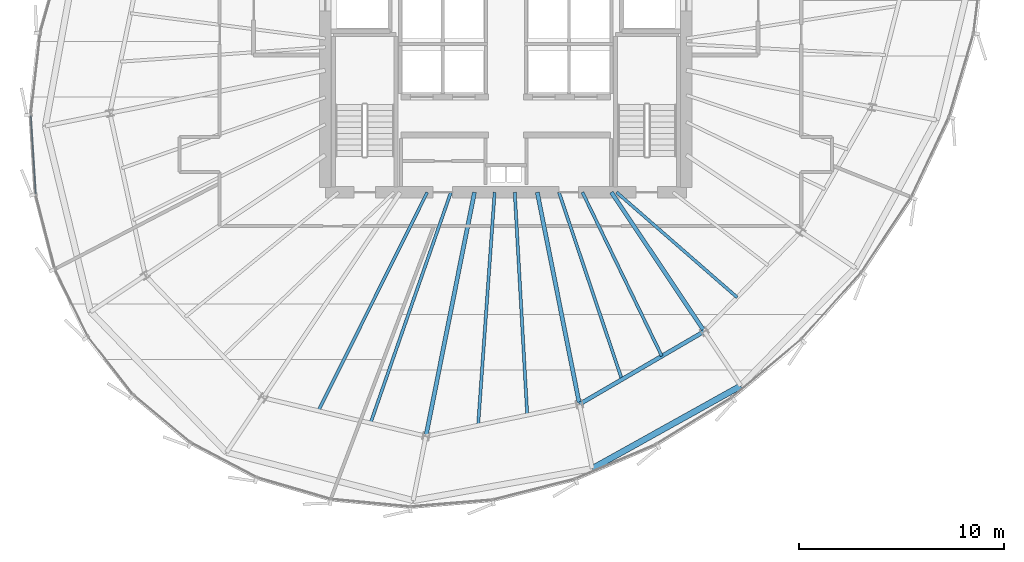
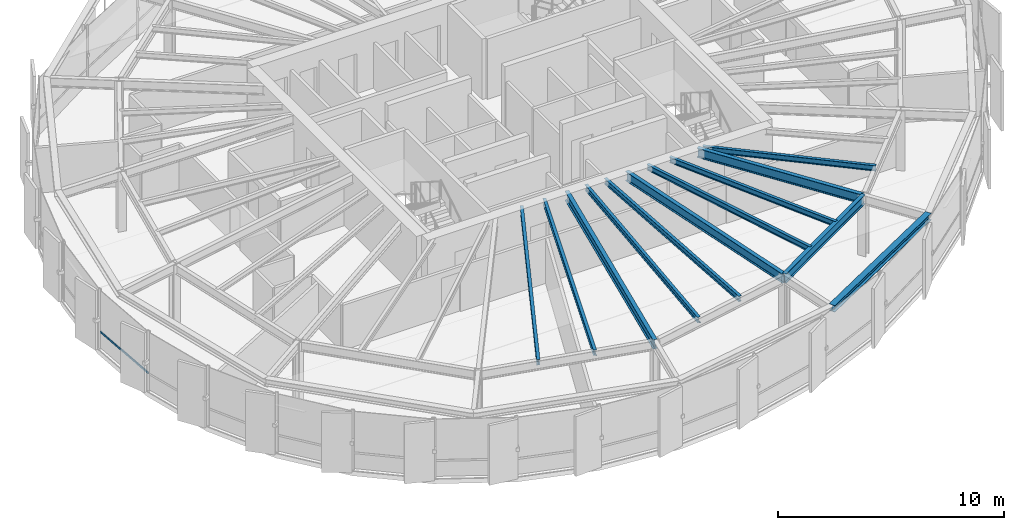
# One storey, part 7 of 33: 12 beams, 1 member, 1 element without a shape of its own.
"""IFC4 building model written with IfcOpenShell, lengths in metres."""

from ifc_helpers import new_model, si_unit, direction, frame, origin, origin_2d, place, context, subcontext, project, spatial, hollow_rectangle, i_section, extrude, source, transform, mapped, material, layer, layer_set, material_profile, profile_set, type_object, element, aggregate, save


model = new_model("IFC4")

# Units and contexts
model_context = context("Model", 3, precision=1e-05, world=origin(), true_north=direction((0.0, 1.0)))
body_context = subcontext(model_context, "Body", "Model", "MODEL_VIEW")
ifc_project = project(units=[si_unit("LENGTHUNIT", "METRE"), si_unit("AREAUNIT", "SQUARE_METRE"), si_unit("VOLUMEUNIT", "CUBIC_METRE"), si_unit("PLANEANGLEUNIT", "RADIAN"), si_unit("MASSUNIT", "GRAM", prefix="KILO"), si_unit("THERMODYNAMICTEMPERATUREUNIT", "KELVIN")], contexts=[model_context])

# Site, building, storey
site_placement = place(None, origin())
site = spatial("IfcSite", under=ifc_project, at=site_placement, CompositionType="ELEMENT")
building_placement = place(site_placement, origin())
building = spatial("IfcBuilding", under=site, at=building_placement, Name="Kethvar Cultural Tower", CompositionType="ELEMENT")
storey_placement = place(building_placement, frame((0.0, 0.0, 211.39990234375)))
storey = spatial("IfcBuildingStorey", under=building, at=storey_placement, Name="L55", CompositionType="ELEMENT", Elevation=211.39990234375)

# Beams
ifc_material_1 = material(Name="Steel S355J2", Category="steel")
ifc_material_profile_1 = material_profile(ifc_material_1, i_section(OverallWidth=0.199951171875, OverallDepth=0.5, WebThickness=0.01025390625, FlangeThickness=0.01611328125, FilletRadius=0.02099609375, at=origin_2d()), Name="Steel S355J2 — IPE500")
ifc_profile_set_1 = profile_set([ifc_material_profile_1], Name="Steel S355J2 — IPE500")
beam_type_1 = type_object("IfcBeamType", Name="BM-IPE500", PredefinedType="BEAM", material=ifc_profile_set_1)
shared_shape_1 = source(origin(), body_context, "Body", "SweptSolid", [
    extrude(i_section(OverallWidth=0.199951171875, OverallDepth=0.5, WebThickness=0.01025390625, FlangeThickness=0.01611328125, FilletRadius=0.02099609375, at=origin_2d()), origin(), (0.0, 0.0, 1.0), 12.1220703125),
])
beam_1_placement = place(storey_placement, frame((45.268310546875, 20.10009765625, 3.008056640625), z_axis=(-0.195078030057, -0.980787725346, 0.0), x_axis=(0.980787725346, -0.195078030057, 0.0)))
element("IfcBeam", 1, at=beam_1_placement, inside=storey, type_object=beam_type_1, Name="L55 Primary Radial Beam RB-12", PredefinedType="BEAM", context=body_context, shape_type="MappedRepresentation", body=[
    mapped(shared_shape_1, transform((0.0, 0.0, 0.0), scale=1.0)),
])
shared_shape_2 = source(origin(), body_context, "Body", "SweptSolid", [
    extrude(i_section(OverallWidth=0.199951171875, OverallDepth=0.5, WebThickness=0.01025390625, FlangeThickness=0.01611328125, FilletRadius=0.02099609375, at=origin_2d()), origin(), (0.0, 0.0, 1.0), 10.533935546875),
])
beam_2_placement = place(storey_placement, frame((48.33154296875, 20.10009765625, 3.008056640625), z_axis=(0.19509982917, -0.980783389265, 0.0), x_axis=(0.980783389265, 0.19509982917, 0.0)))
element("IfcBeam", 2, at=beam_2_placement, inside=storey, type_object=beam_type_1, Name="L55 Primary Radial Beam RB-13", PredefinedType="BEAM", context=body_context, shape_type="MappedRepresentation", body=[
    mapped(shared_shape_2, transform((0.0, 0.0, 0.0), scale=1.0)),
])
shared_shape_3 = source(origin(), body_context, "Body", "SweptSolid", [
    extrude(i_section(OverallWidth=0.199951171875, OverallDepth=0.5, WebThickness=0.01025390625, FlangeThickness=0.01611328125, FilletRadius=0.02099609375, at=origin_2d()), origin(), (0.0, 0.0, 1.0), 8.1533203125),
])
beam_3_placement = place(storey_placement, frame((51.945068359375, 20.10009765625, 3.008056640625), z_axis=(0.555549853936, -0.831483228809, 0.0), x_axis=(0.831483228809, 0.555549853936, 0.0)))
element("IfcBeam", 3, at=beam_3_placement, inside=storey, type_object=beam_type_1, Name="L55 Primary Radial Beam RB-14", PredefinedType="BEAM", context=body_context, shape_type="MappedRepresentation", body=[
    mapped(shared_shape_3, transform((0.0, 0.0, 0.0), scale=1.0)),
])
ifc_material_profile_2 = material_profile(ifc_material_1, i_section(OverallWidth=0.14990234375, OverallDepth=0.300048828125, WebThickness=0.007080078125, FlangeThickness=0.0107421875, FilletRadius=0.014892578125, at=origin_2d()), Name="Steel S355J2 — IPE300")
ifc_profile_set_2 = profile_set([ifc_material_profile_2], Name="Steel S355J2 — IPE300")
beam_type_2 = type_object("IfcBeamType", Name="BM-J300", PredefinedType="JOIST", material=ifc_profile_set_2)
shared_shape_4 = source(origin(), body_context, "Body", "SweptSolid", [
    extrude(i_section(OverallWidth=0.14990234375, OverallDepth=0.300048828125, WebThickness=0.007080078125, FlangeThickness=0.0107421875, FilletRadius=0.014892578125, at=origin_2d()), origin(), (0.0, 0.0, 1.0), 11.900146484375),
])
beam_4_placement = place(storey_placement, frame((42.96630859375, 20.10009765625, 3.108154296875), z_axis=(-0.445686564233, -0.89518907861, 0.0), x_axis=(0.89518907861, -0.445686564233, 0.0)))
element("IfcBeam", 4, at=beam_4_placement, inside=storey, type_object=beam_type_2, Name="L55 Composite Floor Joist J-11A", PredefinedType="JOIST", context=body_context, shape_type="MappedRepresentation", body=[
    mapped(shared_shape_4, transform((0.0, 0.0, 0.0), scale=1.0)),
])
shared_shape_5 = source(origin(), body_context, "Body", "SweptSolid", [
    extrude(i_section(OverallWidth=0.14990234375, OverallDepth=0.300048828125, WebThickness=0.007080078125, FlangeThickness=0.0107421875, FilletRadius=0.014892578125, at=origin_2d()), origin(), (0.0, 0.0, 1.0), 11.914306640625),
])
beam_5_placement = place(storey_placement, frame((44.1201171875, 20.10009765625, 3.108154296875), z_axis=(-0.328722490218, -0.944426558513, 0.0), x_axis=(0.944426558513, -0.328722490218, 0.0)))
element("IfcBeam", 5, at=beam_5_placement, inside=storey, type_object=beam_type_2, Name="L55 Composite Floor Joist J-11B", PredefinedType="JOIST", context=body_context, shape_type="MappedRepresentation", body=[
    mapped(shared_shape_5, transform((0.0, 0.0, 0.0), scale=1.0)),
])
shared_shape_6 = source(origin(), body_context, "Body", "SweptSolid", [
    extrude(i_section(OverallWidth=0.14990234375, OverallDepth=0.300048828125, WebThickness=0.007080078125, FlangeThickness=0.0107421875, FilletRadius=0.014892578125, at=origin_2d()), origin(), (0.0, 0.0, 1.0), 11.38818359375),
])
beam_6_placement = place(storey_placement, frame((46.253662109375, 20.10009765625, 3.108154296875), z_axis=(-0.070767133242, -0.99749286356, 0.0), x_axis=(0.99749286356, -0.070767133242, 0.0)))
element("IfcBeam", 6, at=beam_6_placement, inside=storey, type_object=beam_type_2, Name="L55 Composite Floor Joist J-12A", PredefinedType="JOIST", context=body_context, shape_type="MappedRepresentation", body=[
    mapped(shared_shape_6, transform((0.0, 0.0, 0.0), scale=1.0)),
])
shared_shape_7 = source(origin(), body_context, "Body", "SweptSolid", [
    extrude(i_section(OverallWidth=0.14990234375, OverallDepth=0.300048828125, WebThickness=0.007080078125, FlangeThickness=0.0107421875, FilletRadius=0.014892578125, at=origin_2d()), origin(), (0.0, 0.0, 1.0), 10.878173828125),
])
beam_7_placement = place(storey_placement, frame((47.232421875, 20.10009765625, 3.108154296875), z_axis=(0.056062922639, -0.998427237562, 0.0), x_axis=(0.998427237562, 0.056062922639, 0.0)))
element("IfcBeam", 7, at=beam_7_placement, inside=storey, type_object=beam_type_2, Name="L55 Composite Floor Joist J-12B", PredefinedType="JOIST", context=body_context, shape_type="MappedRepresentation", body=[
    mapped(shared_shape_7, transform((0.0, 0.0, 0.0), scale=1.0)),
])
shared_shape_8 = source(origin(), body_context, "Body", "SweptSolid", [
    extrude(i_section(OverallWidth=0.199951171875, OverallDepth=0.5, WebThickness=0.01025390625, FlangeThickness=0.01611328125, FilletRadius=0.02099609375, at=origin_2d()), origin(), (0.0, 0.0, 1.0), 7.048583984375),
])
beam_8_placement = place(storey_placement, frame((50.38671875, 9.7685546875, 3.008056640625), z_axis=(0.863718593305, 0.503974395757, 0.0), x_axis=(-0.503974395757, 0.863718593305, 0.0)))
element("IfcBeam", 8, at=beam_8_placement, inside=storey, type_object=beam_type_1, Name="L55 Column Ring Tie Beam CR-13", PredefinedType="BEAM", context=body_context, shape_type="MappedRepresentation", body=[
    mapped(shared_shape_8, transform((0.0, 0.0, 0.0), scale=1.0)),
])
ifc_material_profile_3 = material_profile(ifc_material_1, i_section(OverallWidth=0.300048828125, OverallDepth=0.360107421875, WebThickness=0.012451171875, FlangeThickness=0.0224609375, FilletRadius=0.027099609375, at=origin_2d()), Name="Steel S355J2 — HEB360")
ifc_profile_set_3 = profile_set([ifc_material_profile_3], Name="Steel S355J2 — HEB360")
beam_type_3 = type_object("IfcBeamType", Name="BM-SP360", PredefinedType="SPANDREL", material=ifc_profile_set_3)
shared_shape_9 = source(origin(), body_context, "Body", "SweptSolid", [
    extrude(i_section(OverallWidth=0.300048828125, OverallDepth=0.360107421875, WebThickness=0.012451171875, FlangeThickness=0.0224609375, FilletRadius=0.027099609375, at=origin_2d()), origin(), (0.0, 0.0, 1.0), 8.287353515625),
])
beam_9_placement = place(storey_placement, frame((51.010986328125, 6.630126953125, 3.078125), z_axis=(0.873798521244, 0.486288128862, 0.0), x_axis=(-0.486288128862, 0.873798521244, 0.0)))
element("IfcBeam", 9, at=beam_9_placement, inside=storey, type_object=beam_type_3, Name="L55 Perimeter Spandrel Beam SP-13", PredefinedType="SPANDREL", context=body_context, shape_type="MappedRepresentation", body=[
    mapped(shared_shape_9, transform((0.0, 0.0, 0.0), scale=1.0)),
])
shared_shape_10 = source(origin(), body_context, "Body", "SweptSolid", [
    extrude(i_section(OverallWidth=0.14990234375, OverallDepth=0.300048828125, WebThickness=0.007080078125, FlangeThickness=0.0107421875, FilletRadius=0.014892578125, at=origin_2d()), origin(), (0.0, 0.0, 1.0), 9.625732421875),
])
beam_10_placement = place(storey_placement, frame((49.388916015625, 20.10009765625, 3.108154296875), z_axis=(0.31869202774, -0.947858318239, 0.0), x_axis=(0.947858318239, 0.31869202774, 0.0)))
element("IfcBeam", 10, at=beam_10_placement, inside=storey, type_object=beam_type_2, Name="L55 Composite Floor Joist J-13A", PredefinedType="JOIST", context=body_context, shape_type="MappedRepresentation", body=[
    mapped(shared_shape_10, transform((0.0, 0.0, 0.0), scale=1.0)),
])
shared_shape_11 = source(origin(), body_context, "Body", "SweptSolid", [
    extrude(i_section(OverallWidth=0.14990234375, OverallDepth=0.300048828125, WebThickness=0.007080078125, FlangeThickness=0.0107421875, FilletRadius=0.014892578125, at=origin_2d()), origin(), (0.0, 0.0, 1.0), 8.8759765625),
])
beam_11_placement = place(storey_placement, frame((50.532958984375, 20.10009765625, 3.108154296875), z_axis=(0.436210743691, -0.899844534955, 0.0), x_axis=(0.899844534955, 0.436210743691, 0.0)))
element("IfcBeam", 11, at=beam_11_placement, inside=storey, type_object=beam_type_2, Name="L55 Composite Floor Joist J-13B", PredefinedType="JOIST", context=body_context, shape_type="MappedRepresentation", body=[
    mapped(shared_shape_11, transform((0.0, 0.0, 0.0), scale=1.0)),
])
shared_shape_12 = source(origin(), body_context, "Body", "SweptSolid", [
    extrude(i_section(OverallWidth=0.14990234375, OverallDepth=0.300048828125, WebThickness=0.007080078125, FlangeThickness=0.0107421875, FilletRadius=0.014892578125, at=origin_2d()), origin(), (0.0, 0.0, 1.0), 7.7958984375),
])
beam_12_placement = place(storey_placement, frame((52.199951171875, 20.10009765625, 3.108154296875), z_axis=(0.753673681644, -0.657248797335, 0.0), x_axis=(0.657248797335, 0.753673681644, 0.0)))
element("IfcBeam", 12, at=beam_12_placement, inside=storey, type_object=beam_type_2, Name="L55 Composite Floor Joist J-14A", PredefinedType="JOIST", context=body_context, shape_type="MappedRepresentation", body=[
    mapped(shared_shape_12, transform((0.0, 0.0, 0.0), scale=1.0)),
])

# Curtain wall, member
ifc_material_2 = material(Name="Aluminium 6063-T6", Category="aluminium")
ifc_layer = layer(ifc_material_2, 0.179931640625, Name="Aluminium 6063-T6", Category="aluminium")
ifc_layer_set = layer_set([ifc_layer], Name="Aluminium 6063-T6 (180 mm)")
curtain_wall_type = type_object("IfcCurtainWallType", Name="CW-SYS-04-Z34", PredefinedType="NOTDEFINED", material=ifc_layer_set)
curtain_wall_placement = place(storey_placement, origin())
curtain_wall = element("IfcCurtainWall", 13, at=curtain_wall_placement, inside=storey, type_object=curtain_wall_type, Name="L55 Curtain Wall Run 03", PredefinedType="NOTDEFINED")
ifc_material_profile_4 = material_profile(ifc_material_2, hollow_rectangle(XDim=0.050048828125, YDim=0.10009765625, WallThickness=0.00390625, at=origin_2d()), Name="Aluminium 6063-T6 — RHS100x50x4")
ifc_profile_set_4 = profile_set([ifc_material_profile_4], Name="Aluminium 6063-T6 — RHS100x50x4")
member_type = type_object("IfcMemberType", Name="CW-SYS-04-Z34-TRN", PredefinedType="USERDEFINED", material=ifc_profile_set_4)
shared_shape_13 = source(origin(), body_context, "Body", "SweptSolid", [
    extrude(hollow_rectangle(XDim=0.050048828125, YDim=0.10009765625, WallThickness=0.00390625, at=origin_2d()), origin(), (0.0, 0.0, 1.0), 3.820556640625),
])
member_placement = place(storey_placement, frame((23.64453125, 23.837890625, 0.9501953125), z_axis=(0.062815898589, -0.998025131389, 0.0), x_axis=(0.998025131389, 0.062815898589, 0.0)))
member = element("IfcMember", 14, at=member_placement, type_object=member_type, Name="CW-L55-R03 Transom 2", ObjectType="TRANSOM", PredefinedType="USERDEFINED", context=body_context, shape_type="MappedRepresentation", body=[
    mapped(shared_shape_13, transform((0.0, 0.0, 0.0), scale=1.0)),
])
aggregate(curtain_wall, [member])

save(model, "model.ifc")
